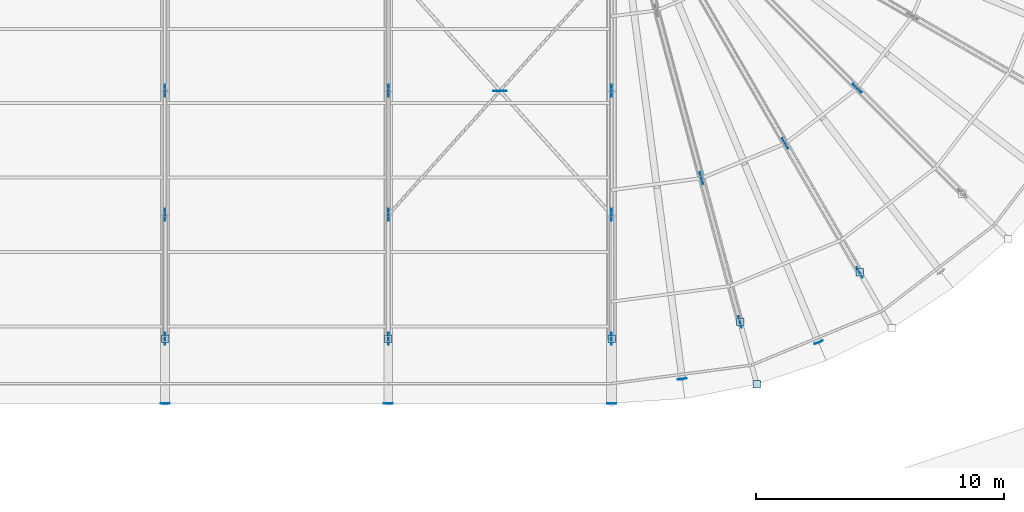
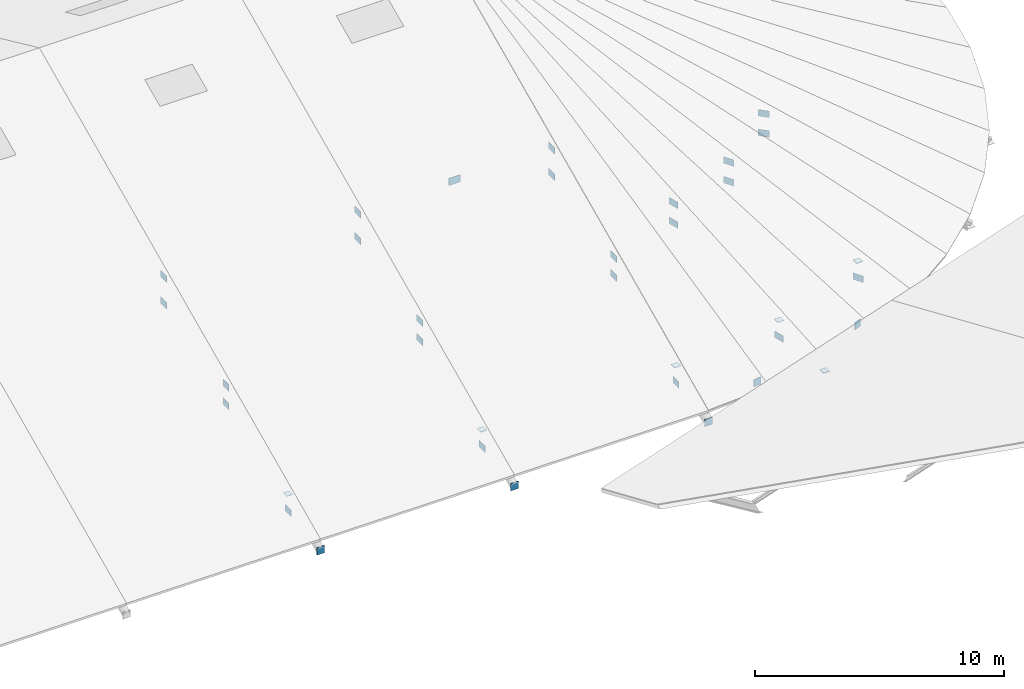
# One storey, part 91 of 107: 35 plates.
"""IFC4 building model written with IfcOpenShell, lengths in metres."""

from ifc_helpers import new_model, si_unit, derived_unit, direction, frame, origin, origin_2d, place, context, subcontext, project, spatial, rectangle, extrude, material, layer, layer_set, type_object, element, save


model = new_model("IFC4")

# Units and contexts
model_context = context("Model", 3, precision=1e-05, world=origin(), true_north=direction((0.0, 1.0)))
body_context = subcontext(model_context, "Body", "Model", "MODEL_VIEW")
ifc_project = project(units=[si_unit("LENGTHUNIT", "METRE"), si_unit("AREAUNIT", "SQUARE_METRE"), si_unit("VOLUMEUNIT", "CUBIC_METRE"), si_unit("PLANEANGLEUNIT", "RADIAN"), si_unit("MASSUNIT", "GRAM", prefix="KILO"), si_unit("THERMODYNAMICTEMPERATUREUNIT", "KELVIN"), si_unit("TIMEUNIT", "SECOND"), derived_unit("THERMALTRANSMITTANCEUNIT", [(si_unit("MASSUNIT", "GRAM", prefix="KILO"), 1), (si_unit("THERMODYNAMICTEMPERATUREUNIT", "KELVIN"), -1), (si_unit("TIMEUNIT", "SECOND"), -3)])], contexts=[model_context])

# Site, building, storey
site_placement = place(None, origin())
site = spatial("IfcSite", under=ifc_project, at=site_placement, CompositionType="ELEMENT")
building_placement = place(site_placement, origin())
building = spatial("IfcBuilding", under=site, at=building_placement, Name="Cambertide Market Hall", CompositionType="ELEMENT")
storey_placement = place(building_placement, frame((0.0, 0.0, 18.300048828125)))
storey = spatial("IfcBuildingStorey", under=building, at=storey_placement, Name="RF", CompositionType="ELEMENT", Elevation=18.300048828125)

# Plates
ifc_material_1 = material(Name="Steel S355", Category="steel")
ifc_layer_1 = layer(ifc_material_1, 0.013916015625, Name="Steel End Cap Plate EC-02")
ifc_layer_set_1 = layer_set([ifc_layer_1], Name="Steel S355")
plate_type_1 = type_object("IfcPlateType", Name="Steel End Cap Plate EC-02", PredefinedType="USERDEFINED", material=ifc_layer_set_1)
for number, where, z_axis, x_axis, name in (
    (1, (110.849365234375, 50.170166015625, -10.7529296875), (0.0, 0.0, 1.0), (1.0, 0.0, 0.0), "EC-CONE-E-02"),
    (2, (87.0, 52.0, -9.55712890625), (0.0, 0.0, 1.0), (1.0, 0.0, 0.0), "High-Bay Brace Connection End Cap Plate EC-BRN-064"),
    (3, (96.0, 52.0, -9.55712890625), (0.0, 0.0, 1.0), (1.0, 0.0, 0.0), "High-Bay Brace Connection End Cap Plate EC-BRN-075"),
    (4, (105.0, 52.0, -9.55712890625), (0.0, 0.0, 1.0), (1.0, 0.0, 0.0), "High-Bay Brace Connection End Cap Plate EC-BRN-086"),
    (5, (110.17626953125, 52.681396484375, -9.55712890625), (0.0, 0.0, 1.0), (1.0, 0.0, 0.0), "High-Bay Brace Connection End Cap Plate EC-BRN-166"),
    (6, (115.0, 54.679443359375, -9.55712890625), (0.0, 0.0, 1.0), (1.0, 0.0, 0.0), "High-Bay Brace Connection End Cap Plate EC-BRN-172"),
):
    element("IfcPlate", number, at=place(storey_placement, frame(where, z_axis=z_axis, x_axis=x_axis)), inside=storey, type_object=plate_type_1, Name=name, ObjectType="END CAP PLATE", PredefinedType="USERDEFINED", context=body_context, shape_type="SweptSolid", body=[
        extrude(rectangle(XDim=0.300048828125, YDim=0.300048828125, at=origin_2d()), origin(), (0.0, 0.0, 1.0), 0.013916015625),
    ])
ifc_material_2 = material(Name="Steel S355", Category="steel")
ifc_layer_2 = layer(ifc_material_2, 0.02392578125, Name="Steel End Cap Plate EC-03E")
ifc_layer_set_2 = layer_set([ifc_layer_2], Name="Steel S355")
plate_type_2 = type_object("IfcPlateType", Name="Steel End Cap Plate EC-03E", PredefinedType="USERDEFINED", material=ifc_layer_set_2)
for number, where, z_axis, x_axis, name in (
    (7, (87.0, 49.39990234375, -10.92626953125), (0.0, 0.0, 1.0), (1.0, 0.0, 0.0), "Eave Overhang End Cap Plate 6-S"),
    (8, (96.0, 49.39990234375, -10.92626953125), (0.0, 0.0, 1.0), (1.0, 0.0, 0.0), "Eave Overhang End Cap Plate 7-S"),
    (9, (105.0, 49.39990234375, -10.92626953125), (0.0, 0.0, 1.0), (1.0, 0.0, 0.0), "Eave Overhang End Cap Plate 8-S"),
):
    element("IfcPlate", number, at=place(storey_placement, frame(where, z_axis=z_axis, x_axis=x_axis)), inside=storey, type_object=plate_type_2, Name=name, ObjectType="END CAP PLATE", PredefinedType="USERDEFINED", context=body_context, shape_type="SweptSolid", body=[
        extrude(rectangle(XDim=0.360107421875, YDim=0.02392578125, at=origin_2d()), origin(), (0.0, 0.0, 1.0), 0.360107421875),
    ])
for number, where, z_axis, x_axis, name in (
    (10, (107.845458984375, 50.386474609375, -10.55810546875), (0.0, 0.0, 1.0), (0.13052619222, -0.991444861374, 0.0), "Eave Rafter End Cap Plate E-01"),
    (11, (113.342529296875, 51.859375, -10.55810546875), (0.0, 0.0, 1.0), (0.382683432365, -0.923879532511, 0.0), "Eave Rafter End Cap Plate E-03"),
):
    element("IfcPlate", number, at=place(storey_placement, frame(where, z_axis=z_axis, x_axis=x_axis)), inside=storey, type_object=plate_type_2, Name=name, ObjectType="END CAP PLATE", PredefinedType="USERDEFINED", context=body_context, shape_type="SweptSolid", body=[
        extrude(rectangle(XDim=0.02392578125, YDim=0.360107421875, at=origin_2d()), origin(), (0.0, 0.0, 1.0), 0.360107421875),
    ])
ifc_material_3 = material(Name="Steel S355", Category="steel")
ifc_layer_3 = layer(ifc_material_3, 0.02001953125, Name="Steel Gusset Plate GP-01")
ifc_layer_set_3 = layer_set([ifc_layer_3], Name="Steel S355")
plate_type_3 = type_object("IfcPlateType", Name="Steel Gusset Plate GP-01", PredefinedType="USERDEFINED", material=ifc_layer_set_3)
plate_placement = place(storey_placement, frame((100.5, 62.0, -5.1298828125), z_axis=(0.0, 0.0, 1.0), x_axis=(1.0, 0.0, 0.0)))
element("IfcPlate", 12, at=plate_placement, inside=storey, type_object=plate_type_3, Name="Wind X-Brace Crossing Gusset Plate 7-S", ObjectType="GUSSET PLATE", PredefinedType="USERDEFINED", context=body_context, shape_type="SweptSolid", body=[
    extrude(rectangle(XDim=0.5400390625, YDim=0.02001953125, at=origin_2d()), origin(), (0.0, 0.0, 1.0), 0.360107421875),
])
ifc_material_4 = material(Name="Steel S355", Category="steel")
ifc_layer_4 = layer(ifc_material_4, 0.01806640625, Name="Steel Gusset Plate GP-02")
ifc_layer_set_4 = layer_set([ifc_layer_4], Name="Steel S355")
plate_type_4 = type_object("IfcPlateType", Name="Steel Gusset Plate GP-02", PredefinedType="USERDEFINED", material=ifc_layer_set_4)
for number, where, z_axis, x_axis, name in (
    (13, (87.0, 57.0, -7.41015625), (0.0, 0.0, 1.0), (1.0, 0.0, 0.0), "Arch Truss 6 Node Gusset Plate 1"),
    (14, (87.0, 62.0, -5.10986328125), (0.0, 0.0, 1.0), (1.0, 0.0, 0.0), "Arch Truss 6 Node Gusset Plate 2"),
    (15, (96.0, 57.0, -7.41015625), (0.0, 0.0, 1.0), (1.0, 0.0, 0.0), "Arch Truss 7 Node Gusset Plate 1"),
    (16, (96.0, 62.0, -5.10986328125), (0.0, 0.0, 1.0), (1.0, 0.0, 0.0), "Arch Truss 7 Node Gusset Plate 2"),
    (17, (105.0, 57.0, -7.41015625), (0.0, 0.0, 1.0), (1.0, 0.0, 0.0), "Arch Truss 8 Node Gusset Plate 1"),
    (18, (105.0, 62.0, -5.10986328125), (0.0, 0.0, 1.0), (1.0, 0.0, 0.0), "Arch Truss 8 Node Gusset Plate 2"),
):
    element("IfcPlate", number, at=place(storey_placement, frame(where, z_axis=z_axis, x_axis=x_axis)), inside=storey, type_object=plate_type_4, Name=name, ObjectType="GUSSET PLATE", PredefinedType="USERDEFINED", context=body_context, shape_type="SweptSolid", body=[
        extrude(rectangle(XDim=0.01806640625, YDim=0.47998046875, at=origin_2d()), origin(), (0.0, 0.0, 1.0), 0.320068359375),
    ])
for number, where, z_axis, x_axis, name in (
    (19, (87.0, 52.0, -10.5400390625), (0.0, 0.0, 1.0), (0.0, 1.0, 0.0), "High-Bay Brace Connection Gusset Plate GP-BRN-056"),
    (20, (87.0, 57.0, -8.3369140625), (0.0, 0.0, 1.0), (0.0, 1.0, 0.0), "High-Bay Brace Connection Gusset Plate GP-BRN-057"),
    (21, (87.0, 62.0, -6.4111328125), (0.0, 0.0, 1.0), (0.0, 1.0, 0.0), "High-Bay Brace Connection Gusset Plate GP-BRN-058"),
    (22, (96.0, 52.0, -10.5400390625), (0.0, 0.0, 1.0), (0.0, 1.0, 0.0), "High-Bay Brace Connection Gusset Plate GP-BRN-067"),
    (23, (96.0, 57.0, -8.3369140625), (0.0, 0.0, 1.0), (0.0, 1.0, 0.0), "High-Bay Brace Connection Gusset Plate GP-BRN-068"),
    (24, (96.0, 62.0, -6.4111328125), (0.0, 0.0, 1.0), (0.0, 1.0, 0.0), "High-Bay Brace Connection Gusset Plate GP-BRN-069"),
    (25, (105.0, 52.0, -10.5400390625), (0.0, 0.0, 1.0), (0.0, 1.0, 0.0), "High-Bay Brace Connection Gusset Plate GP-BRN-078"),
    (26, (105.0, 57.0, -8.3369140625), (0.0, 0.0, 1.0), (0.0, 1.0, 0.0), "High-Bay Brace Connection Gusset Plate GP-BRN-079"),
    (27, (105.0, 62.0, -6.4111328125), (0.0, 0.0, 1.0), (0.0, 1.0, 0.0), "High-Bay Brace Connection Gusset Plate GP-BRN-080"),
    (28, (108.62353515625, 58.47705078125, -7.916015625), (0.0, 0.0, 1.0), (-0.258819045103, 0.965925826289, 0.0), "High-Bay Brace Connection Gusset Plate GP-BRN-162"),
    (29, (110.17626953125, 52.681396484375, -10.5400390625), (0.0, 0.0, 1.0), (-0.258819045103, 0.965925826289, 0.0), "High-Bay Brace Connection Gusset Plate GP-BRN-164"),
    (30, (108.62353515625, 58.47705078125, -6.9501953125), (0.0, 0.0, 1.0), (-0.258819045103, 0.965925826289, 0.0), "High-Bay Brace Connection Gusset Plate GP-BRN-165"),
    (31, (112.0, 59.875732421875, -7.916015625), (0.0, 0.0, 1.0), (-0.5, 0.866025403784, 0.0), "High-Bay Brace Connection Gusset Plate GP-BRN-168"),
    (32, (115.0, 54.679443359375, -10.5400390625), (0.0, 0.0, 1.0), (-0.5, 0.866025403784, 0.0), "High-Bay Brace Connection Gusset Plate GP-BRN-170"),
    (33, (112.0, 59.875732421875, -6.9501953125), (0.0, 0.0, 1.0), (-0.5, 0.866025403784, 0.0), "High-Bay Brace Connection Gusset Plate GP-BRN-171"),
    (34, (114.8994140625, 62.1005859375, -7.916015625), (0.0, 0.0, 1.0), (-0.707106781187, 0.707106781187, 0.0), "High-Bay Brace Connection Gusset Plate GP-BRN-174"),
    (35, (114.8994140625, 62.1005859375, -6.9501953125), (0.0, 0.0, 1.0), (-0.707106781187, 0.707106781187, 0.0), "High-Bay Brace Connection Gusset Plate GP-BRN-177"),
):
    element("IfcPlate", number, at=place(storey_placement, frame(where, z_axis=z_axis, x_axis=x_axis)), inside=storey, type_object=plate_type_4, Name=name, ObjectType="GUSSET PLATE", PredefinedType="USERDEFINED", context=body_context, shape_type="SweptSolid", body=[
        extrude(rectangle(XDim=0.47998046875, YDim=0.01806640625, at=origin_2d()), origin(), (0.0, 0.0, 1.0), 0.320068359375),
    ])

save(model, "model.ifc")
